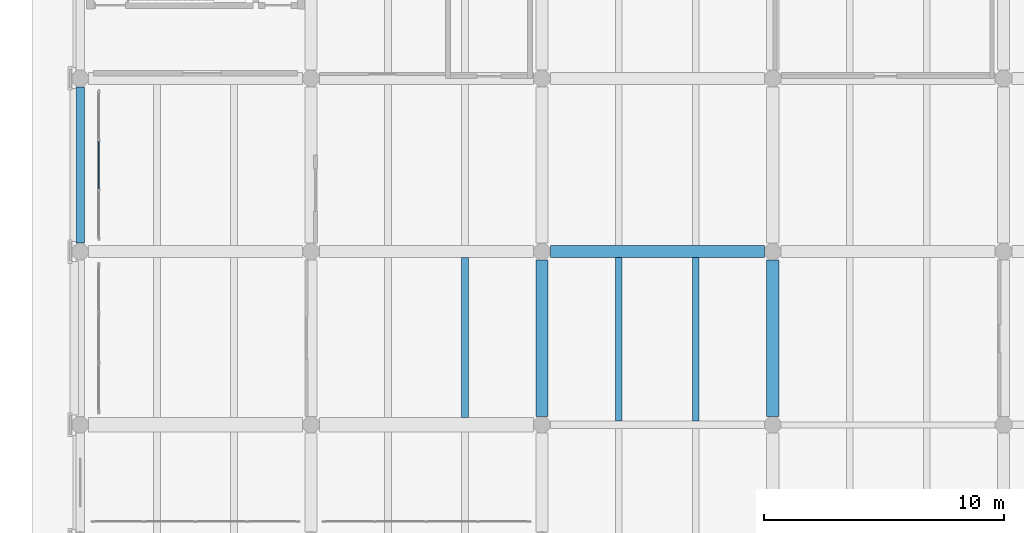
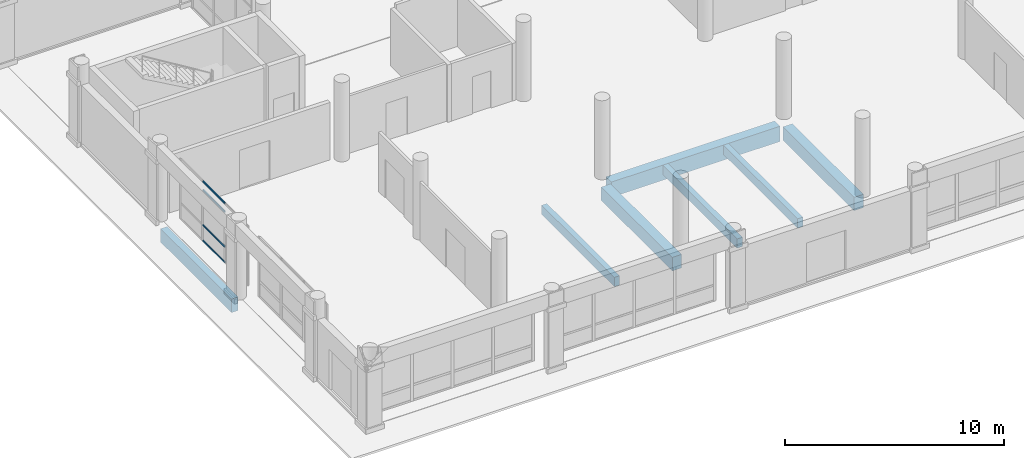
# One storey, part 27 of 196: 7 beams, 4 members, 1 element without a shape of its own.
"""IFC4 building model written with IfcOpenShell, lengths in metres."""

from ifc_helpers import new_model, si_unit, direction, frame, origin, origin_2d, place, context, subcontext, project, spatial, rectangle, hollow_rectangle, extrude, material, layer, layer_set, material_profile, profile_set, type_object, element, aggregate, save


model = new_model("IFC4")

# Units and contexts
model_context = context("Model", 3, precision=1e-05, world=origin(), true_north=direction((0.0, 1.0)))
body_context = subcontext(model_context, "Body", "Model", "MODEL_VIEW")
ifc_project = project(units=[si_unit("LENGTHUNIT", "METRE"), si_unit("AREAUNIT", "SQUARE_METRE"), si_unit("VOLUMEUNIT", "CUBIC_METRE"), si_unit("PLANEANGLEUNIT", "RADIAN"), si_unit("MASSUNIT", "GRAM", prefix="KILO")], contexts=[model_context])

# Site, building, storey
site_placement = place(None, origin())
site = spatial("IfcSite", under=ifc_project, at=site_placement, CompositionType="ELEMENT")
building_placement = place(site_placement, origin())
building = spatial("IfcBuilding", under=site, at=building_placement, Name="Asteropetra Specialist Clinic", CompositionType="ELEMENT")
storey_placement = place(building_placement, origin())
storey = spatial("IfcBuildingStorey", under=building, at=storey_placement, Name="L00", CompositionType="ELEMENT", Elevation=0.0)

# Beams
ifc_material_1 = material(Name="Concrete C35/45", Category="concrete")
ifc_material_profile_1 = material_profile(ifc_material_1, rectangle(XDim=0.5, YDim=0.75, at=origin_2d()), Name="RCB 500x750")
ifc_profile_set_1 = profile_set([ifc_material_profile_1], Name="Concrete C35/45")
beam_type_1 = type_object("IfcBeamType", Name="BM-RC500x750", PredefinedType="BEAM", material=ifc_profile_set_1)
for number, where, z_axis, x_axis, name in (
    (1, (19.199951171875, 5.14990234375, -0.715087890625), (0.0, 1.0, 0.0), (-1.0, 0.0, 0.0), "Beam BBM04-0052"),
    (2, (28.800048828125, 5.14990234375, -0.715087890625), (0.0, 1.0, 0.0), (-1.0, 0.0, 0.0), "Beam BBM04-0053"),
):
    element("IfcBeam", number, at=place(storey_placement, frame(where, z_axis=z_axis, x_axis=x_axis)), inside=storey, type_object=beam_type_1, Name=name, PredefinedType="BEAM", context=body_context, shape_type="SweptSolid", body=[
        extrude(rectangle(XDim=0.5, YDim=0.75, at=origin_2d()), origin(), (0.0, 0.0, 1.0), 6.5),
    ])
ifc_material_2 = material(Name="Concrete C35/45", Category="concrete")
ifc_material_profile_2 = material_profile(ifc_material_2, rectangle(XDim=0.5, YDim=0.85009765625, at=origin_2d()), Name="RCB 500x850")
ifc_profile_set_2 = profile_set([ifc_material_profile_2], Name="Concrete C35/45")
beam_type_2 = type_object("IfcBeamType", Name="BM-RC500x850", PredefinedType="BEAM", material=ifc_profile_set_2)
beam_1_placement = place(storey_placement, frame((19.550048828125, 12.0, -0.764892578125), z_axis=(1.0, 0.0, 0.0), x_axis=(0.0, 1.0, 0.0)))
element("IfcBeam", 3, at=beam_1_placement, inside=storey, type_object=beam_type_2, Name="Beam BBM03-0015", PredefinedType="BEAM", context=body_context, shape_type="SweptSolid", body=[
    extrude(rectangle(XDim=0.5, YDim=0.85009765625, at=origin_2d()), origin(), (0.0, 0.0, 1.0), 8.89990234375),
])

# Curtain wall, members
ifc_material_3 = material(Name="Aluminium and low-E glass", Category="aluminium")
ifc_layer = layer(ifc_material_3, 0.179931640625)
ifc_layer_set = layer_set([ifc_layer], Name="Aluminium and low-E glass")
curtain_wall_type = type_object("IfcCurtainWallType", Name="CW-SYS-10", PredefinedType="USERDEFINED", material=ifc_layer_set)
curtain_wall_placement = place(storey_placement, origin())
curtain_wall = element("IfcCurtainWall", 4, at=curtain_wall_placement, inside=storey, type_object=curtain_wall_type, Name="Curtain Wall CW-131", ObjectType="STICK GLAZED COLONNADE", PredefinedType="USERDEFINED")
ifc_material_4 = material(Name="Aluminium 6063-T6", Category="aluminium")
ifc_material_profile_3 = material_profile(ifc_material_4, hollow_rectangle(XDim=0.06005859375, YDim=0.10009765625, WallThickness=0.00341796875, InnerFilletRadius=0.00341796875, OuterFilletRadius=0.007080078125, at=origin_2d()), Name="TRN 100x60x3.5")
ifc_profile_set_3 = profile_set([ifc_material_profile_3], Name="Aluminium 6063-T6")
member_type = type_object("IfcMemberType", Name="CWT-100x60", PredefinedType="USERDEFINED", material=ifc_profile_set_3)
member_1_placement = place(storey_placement, frame((0.780029296875, 16.60009765625, 0.030029296875), z_axis=(0.0, -1.0, 0.0), x_axis=(1.0, 0.0, 0.0)))
member_1 = element("IfcMember", 5, at=member_1_placement, type_object=member_type, Name="CW-131 transom 2.1", ObjectType="TRANSOM", PredefinedType="USERDEFINED", context=body_context, shape_type="SweptSolid", body=[
    extrude(hollow_rectangle(XDim=0.06005859375, YDim=0.10009765625, WallThickness=0.00341796875, InnerFilletRadius=0.00341796875, OuterFilletRadius=0.007080078125, at=origin_2d()), origin(), (0.0, 0.0, 1.0), 2.0),
])
member_2_placement = place(storey_placement, frame((0.780029296875, 16.60009765625, 0.89990234375), z_axis=(0.0, -1.0, 0.0), x_axis=(1.0, 0.0, 0.0)))
member_2 = element("IfcMember", 6, at=member_2_placement, type_object=member_type, Name="CW-131 transom 2.2", ObjectType="TRANSOM", PredefinedType="USERDEFINED", context=body_context, shape_type="SweptSolid", body=[
    extrude(hollow_rectangle(XDim=0.06005859375, YDim=0.10009765625, WallThickness=0.00341796875, InnerFilletRadius=0.00341796875, OuterFilletRadius=0.007080078125, at=origin_2d()), origin(), (0.0, 0.0, 1.0), 2.0),
])
member_3_placement = place(storey_placement, frame((0.780029296875, 16.60009765625, 2.85009765625), z_axis=(0.0, -1.0, 0.0), x_axis=(1.0, 0.0, 0.0)))
member_3 = element("IfcMember", 7, at=member_3_placement, type_object=member_type, Name="CW-131 transom 2.3", ObjectType="TRANSOM", PredefinedType="USERDEFINED", context=body_context, shape_type="SweptSolid", body=[
    extrude(hollow_rectangle(XDim=0.06005859375, YDim=0.10009765625, WallThickness=0.00341796875, InnerFilletRadius=0.00341796875, OuterFilletRadius=0.007080078125, at=origin_2d()), origin(), (0.0, 0.0, 1.0), 2.0),
])
member_4_placement = place(storey_placement, frame((0.780029296875, 16.60009765625, 3.320068359375), z_axis=(0.0, -1.0, 0.0), x_axis=(1.0, 0.0, 0.0)))
member_4 = element("IfcMember", 8, at=member_4_placement, type_object=member_type, Name="CW-131 transom 2.4", ObjectType="TRANSOM", PredefinedType="USERDEFINED", context=body_context, shape_type="SweptSolid", body=[
    extrude(hollow_rectangle(XDim=0.06005859375, YDim=0.10009765625, WallThickness=0.00341796875, InnerFilletRadius=0.00341796875, OuterFilletRadius=0.007080078125, at=origin_2d()), origin(), (0.0, 0.0, 1.0), 2.0),
])
aggregate(curtain_wall, [member_1, member_2, member_3, member_4])

# Beams
ifc_material_5 = material(Name="Concrete C35/45", Category="concrete")
ifc_material_profile_4 = material_profile(ifc_material_5, rectangle(XDim=0.280029296875, YDim=0.52001953125, at=origin_2d()), Name="RCJ 280x520")
ifc_profile_set_4 = profile_set([ifc_material_profile_4], Name="Concrete C35/45")
beam_type_3 = type_object("IfcBeamType", Name="JST-RC280x520", PredefinedType="JOIST", material=ifc_profile_set_4)
beam_2_placement = place(storey_placement, frame((16.0, 5.10009765625, -0.60009765625), z_axis=(0.0, 1.0, 0.0), x_axis=(-1.0, 0.0, 0.0)))
element("IfcBeam", 9, at=beam_2_placement, inside=storey, type_object=beam_type_3, Name="Joist JJST01-0060", PredefinedType="JOIST", context=body_context, shape_type="SweptSolid", body=[
    extrude(rectangle(XDim=0.280029296875, YDim=0.52001953125, at=origin_2d()), origin(), (0.0, 0.0, 1.0), 6.64990234375),
])
for number, where, z_axis, x_axis, name in (
    (10, (22.39990234375, 4.949951171875, -0.60009765625), (0.0, 1.0, 0.0), (-1.0, 0.0, 0.0), "Joist JJST01-0061"),
    (11, (25.60009765625, 4.949951171875, -0.60009765625), (0.0, 1.0, 0.0), (-1.0, 0.0, 0.0), "Joist JJST01-0062"),
):
    element("IfcBeam", number, at=place(storey_placement, frame(where, z_axis=z_axis, x_axis=x_axis)), inside=storey, type_object=beam_type_3, Name=name, PredefinedType="JOIST", context=body_context, shape_type="SweptSolid", body=[
        extrude(rectangle(XDim=0.280029296875, YDim=0.52001953125, at=origin_2d()), origin(), (0.0, 0.0, 1.0), 6.800048828125),
    ])
ifc_material_6 = material(Name="Concrete C35/45", Category="concrete")
ifc_material_profile_5 = material_profile(ifc_material_6, rectangle(XDim=0.35009765625, YDim=0.75, at=origin_2d()), Name="RCS 350x750")
ifc_profile_set_5 = profile_set([ifc_material_profile_5], Name="Concrete C35/45")
beam_type_4 = type_object("IfcBeamType", Name="SPN-RC350x750", PredefinedType="SPANDREL", material=ifc_profile_set_5)
beam_3_placement = place(storey_placement, frame((0.0, 12.35009765625, -0.715087890625), z_axis=(0.0, 1.0, 0.0), x_axis=(-1.0, 0.0, 0.0)))
element("IfcBeam", 12, at=beam_3_placement, inside=storey, type_object=beam_type_4, Name="Beam BSPN01-0069", PredefinedType="SPANDREL", context=body_context, shape_type="SweptSolid", body=[
    extrude(rectangle(XDim=0.35009765625, YDim=0.75, at=origin_2d()), origin(), (0.0, 0.0, 1.0), 6.5),
])

save(model, "model.ifc")
